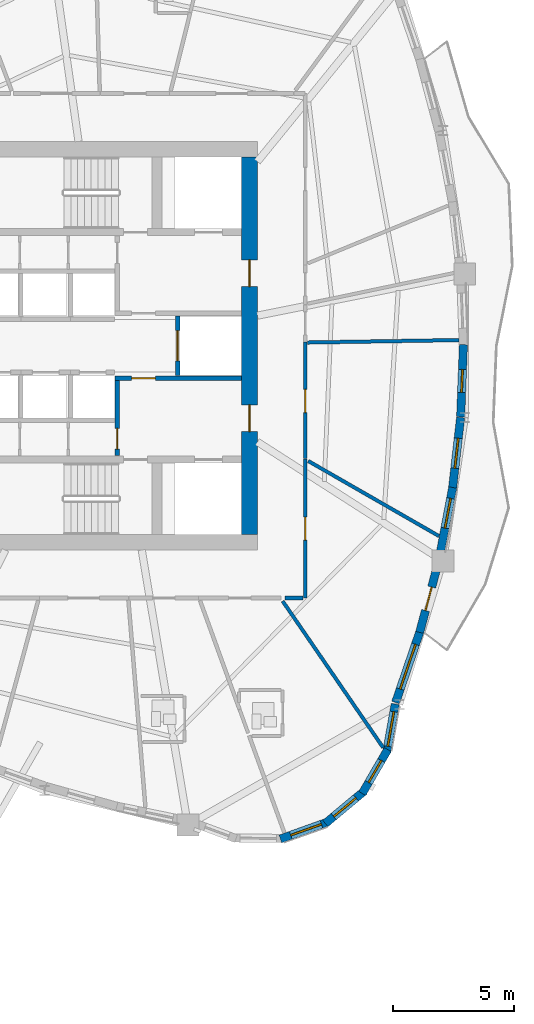
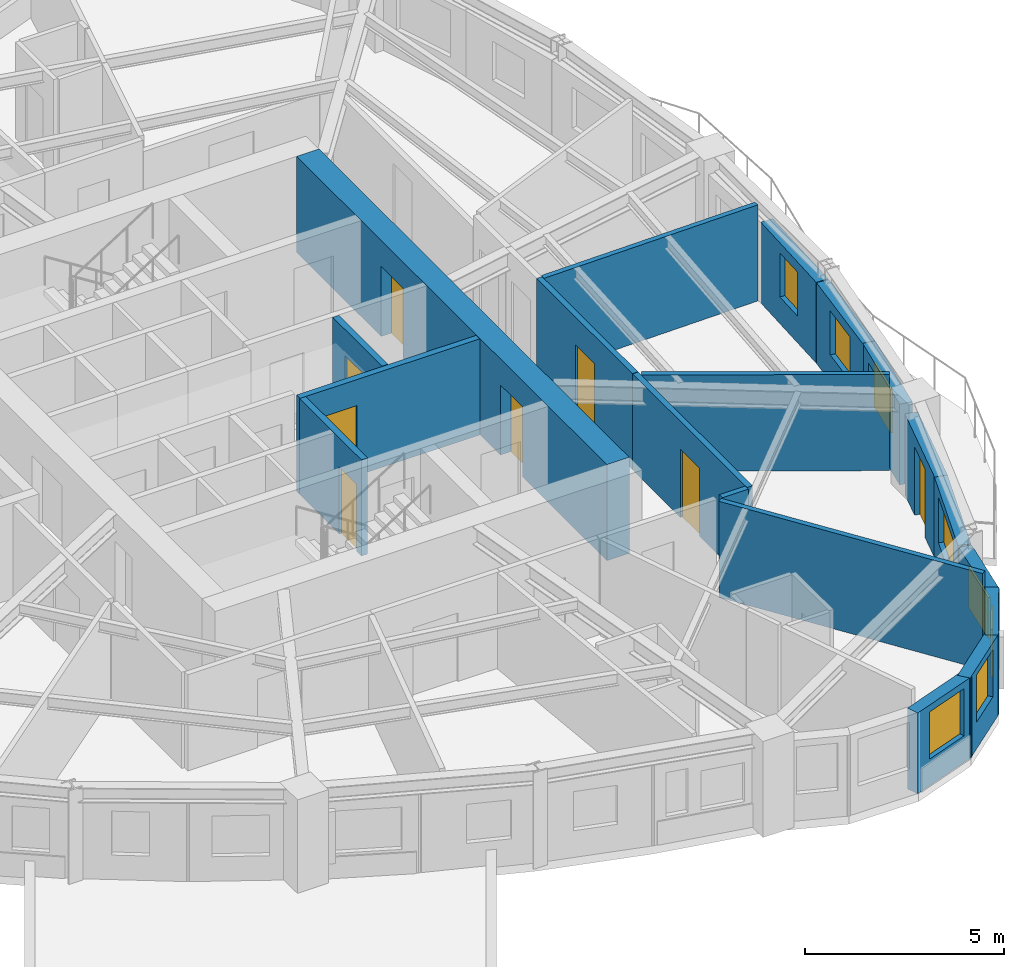
# One storey, part 5 of 14: 19 walls, 8 doors, 8 windows, 16 openings.
"""IFC4 building model written with IfcOpenShell, lengths in metres."""

from ifc_helpers import new_model, si_unit, direction, frame, frame_2d, origin, place, context, subcontext, project, spatial, rectangle, extrude, source, transform, mapped, material, layer, layer_set, type_object, element, fill, save


model = new_model("IFC4")

# Units and contexts
model_context = context("Model", 3, precision=1e-05, world=origin(), true_north=direction((0.0, 1.0)))
body_context = subcontext(model_context, "Body", "Model", "MODEL_VIEW")
ifc_project = project(units=[si_unit("LENGTHUNIT", "METRE"), si_unit("AREAUNIT", "SQUARE_METRE"), si_unit("VOLUMEUNIT", "CUBIC_METRE"), si_unit("PLANEANGLEUNIT", "RADIAN"), si_unit("MASSUNIT", "GRAM", prefix="KILO")], contexts=[model_context])

# Site, building, storey
site_placement = place(None, origin())
site = spatial("IfcSite", under=ifc_project, at=site_placement, CompositionType="ELEMENT")
building_placement = place(site_placement, origin())
building = spatial("IfcBuilding", under=site, at=building_placement, Name="Qafzar Sky-Pleat Residences", CompositionType="ELEMENT")
storey_placement = place(building_placement, frame((0.0, 0.0, 118.39990234375)))
storey = spatial("IfcBuildingStorey", under=building, at=storey_placement, Name="L35", CompositionType="ELEMENT", Elevation=118.39990234375)

# Wall, opening, door
ifc_material_1 = material(Name="Acoustic gypsum plasterboard partition", Category="gypsum")
ifc_layer_1 = layer(ifc_material_1, 0.159912109375)
ifc_layer_set_1 = layer_set([ifc_layer_1], Name="Acoustic gypsum plasterboard partition")
wall_type_1 = type_object("IfcWallType", Name="PART-COR-160", PredefinedType="PARTITIONING", material=ifc_layer_set_1)
wall_1_placement = place(storey_placement, frame((38.530029296875, 21.321044921875, 0.0), z_axis=(0.0, 0.0, 1.0), x_axis=(0.0, -1.0, 0.0)))
wall_1 = element("IfcWall", 1, at=wall_1_placement, inside=storey, type_object=wall_type_1, Name="L35 Partition Wall PART-L35-PW-002", PredefinedType="PARTITIONING", context=body_context, shape_type="SweptSolid", body=[
    extrude(rectangle(XDim=5.7509765625, YDim=0.159912109375, at=frame_2d((2.87548828125, 0.0))), origin(), (0.0, 0.0, 1.0), 2.9501953125),
])
opening_1_placement = place(wall_1_placement, frame((2.404052734375, 0.0, 0.0)))
opening_1 = element("IfcOpeningElement", 2, at=opening_1_placement, cuts=wall_1, Name="Opening ID-06", PredefinedType="OPENING", context=body_context, shape_type="SweptSolid", body=[
    extrude(rectangle(XDim=0.9599609375, YDim=2.10009765625, at=frame_2d((0.47998046875, 1.050048828125))), frame((0.0, 0.08984375, 0.0), z_axis=(0.0, -1.0, 0.0), x_axis=(1.0, 0.0, 0.0)), (0.0, 0.0, 1.0), 0.179931640625),
])
ifc_material_2 = material(Name="Timber-faced fire door", Category="wood")
door_type_1 = type_object("IfcDoorType", Name="DR-STD-960", OperationType="NOTDEFINED", PredefinedType="DOOR", material=ifc_material_2)
shared_shape_1 = source(origin(), body_context, "Body", "SweptSolid", [
    extrude(rectangle(XDim=0.9599609375, YDim=2.10009765625, at=frame_2d((0.47998046875, 1.050048828125))), frame((0.0, 0.02490234375, 0.0), z_axis=(0.0, -1.0, 0.0), x_axis=(1.0, 0.0, 0.0)), (0.0, 0.0, 1.0), 0.050048828125),
])
door_1_placement = place(opening_1_placement, origin())
door_1 = element("IfcDoor", 3, at=door_1_placement, inside=storey, type_object=door_type_1, Name="L35 Wellness Yoga Studio Door", OperationType="SINGLE_SWING_LEFT", OverallHeight=2.10009765625, OverallWidth=0.9599609375, PredefinedType="DOOR", context=body_context, shape_type="MappedRepresentation", body=[
    mapped(shared_shape_1, transform((0.0, 0.0, 0.0), x_axis=(1.0, 0.0, 0.0), y_axis=(0.0, 1.0, 0.0), z_axis=(0.0, 0.0, 1.0), scale=1.0)),
])
fill(opening_1, door_1)

wall_2_placement = place(storey_placement, frame((38.530029296875, 26.14697265625, 0.0), z_axis=(0.0, 0.0, 1.0), x_axis=(0.0, -1.0, 0.0)))
wall_2 = element("IfcWall", 4, at=wall_2_placement, inside=storey, type_object=wall_type_1, Name="L35 Partition Wall PART-L35-PW-006", PredefinedType="PARTITIONING", context=body_context, shape_type="SweptSolid", body=[
    extrude(rectangle(XDim=4.81103515625, YDim=0.159912109375, at=frame_2d((2.405517578125, 0.0))), origin(), (0.0, 0.0, 1.0), 2.9501953125),
])
opening_2_placement = place(wall_2_placement, frame((1.948974609375, 0.0, 0.0)))
opening_2 = element("IfcOpeningElement", 5, at=opening_2_placement, cuts=wall_2, Name="Opening ID-06", PredefinedType="OPENING", context=body_context, shape_type="SweptSolid", body=[
    extrude(rectangle(XDim=0.9599609375, YDim=2.10009765625, at=frame_2d((0.47998046875, 1.050048828125))), frame((0.0, 0.08984375, 0.0), z_axis=(0.0, -1.0, 0.0), x_axis=(1.0, 0.0, 0.0)), (0.0, 0.0, 1.0), 0.179931640625),
])
door_2_placement = place(opening_2_placement, origin())
door_2 = element("IfcDoor", 6, at=door_2_placement, inside=storey, type_object=door_type_1, Name="L35 Media Screening Room Door", OperationType="SINGLE_SWING_RIGHT", OverallHeight=2.10009765625, OverallWidth=0.9599609375, PredefinedType="DOOR", context=body_context, shape_type="MappedRepresentation", body=[
    mapped(shared_shape_1, transform((0.0, 0.0, 0.0), x_axis=(1.0, 0.0, 0.0), y_axis=(0.0, 1.0, 0.0), z_axis=(0.0, 0.0, 1.0), scale=1.0)),
])
fill(opening_2, door_2)

# Wall
wall_3_placement = place(storey_placement, frame((37.689697265625, 15.570068359375, 0.0), z_axis=(0.0, 0.0, 1.0), x_axis=(1.0, 0.0, 0.0)))
element("IfcWall", 7, at=wall_3_placement, inside=storey, type_object=wall_type_1, Name="L35 Partition Wall PART-L35-PW-053", PredefinedType="PARTITIONING", context=body_context, shape_type="SweptSolid", body=[
    extrude(rectangle(XDim=0.752197265625, YDim=0.159912109375, at=frame_2d((0.3759765625, 0.0))), origin(), (0.0, 0.0, 1.0), 2.9501953125),
])

# Wall, opening, door
ifc_material_3 = material(Name="Concrete blockwork partition", Category="masonry")
ifc_layer_2 = layer(ifc_material_3, 0.179931640625)
ifc_layer_set_2 = layer_set([ifc_layer_2], Name="Concrete blockwork partition")
wall_type_2 = type_object("IfcWallType", Name="PART-SHAFT-180", PredefinedType="PARTITIONING", material=ifc_layer_set_2)
wall_4_placement = place(storey_placement, frame((30.75, 21.4599609375, 0.0), z_axis=(0.0, 0.0, 1.0), x_axis=(0.0, 1.0, 0.0)))
wall_4 = element("IfcWall", 8, at=wall_4_placement, inside=storey, type_object=wall_type_2, Name="L35 Partition Wall PART-L35-FFL1-W", PredefinedType="PARTITIONING", context=body_context, shape_type="SweptSolid", body=[
    extrude(rectangle(XDim=3.110107421875, YDim=0.179931640625, at=frame_2d((1.55517578125, 0.0))), origin(), (0.0, 0.0, 1.0), 2.9501953125),
])
opening_3_placement = place(wall_4_placement, frame((0.260009765625, 0.0, 0.0)))
opening_3 = element("IfcOpeningElement", 9, at=opening_3_placement, cuts=wall_4, Name="Opening ID-09", PredefinedType="OPENING", context=body_context, shape_type="SweptSolid", body=[
    extrude(rectangle(XDim=0.860107421875, YDim=2.050048828125, at=frame_2d((0.43017578125, 1.02490234375))), frame((0.0, 0.10009765625, 0.0), z_axis=(0.0, -1.0, 0.0), x_axis=(1.0, 0.0, 0.0)), (0.0, 0.0, 1.0), 0.199951171875),
])
door_type_2 = type_object("IfcDoorType", Name="DR-SVC-860", OperationType="NOTDEFINED", PredefinedType="DOOR", material=ifc_material_2)
shared_shape_2 = source(origin(), body_context, "Body", "SweptSolid", [
    extrude(rectangle(XDim=0.860107421875, YDim=2.050048828125, at=frame_2d((0.43017578125, 1.02490234375))), frame((0.0, 0.02490234375, 0.0), z_axis=(0.0, -1.0, 0.0), x_axis=(1.0, 0.0, 0.0)), (0.0, 0.0, 1.0), 0.050048828125),
])
door_3_placement = place(opening_3_placement, origin())
door_3 = element("IfcDoor", 10, at=door_3_placement, inside=storey, type_object=door_type_2, Name="L35 South Core Cupboard Door", OperationType="SINGLE_SWING_RIGHT", OverallHeight=2.050048828125, OverallWidth=0.860107421875, PredefinedType="DOOR", context=body_context, shape_type="MappedRepresentation", body=[
    mapped(shared_shape_2, transform((0.0, 0.0, 0.0), x_axis=(1.0, 0.0, 0.0), y_axis=(0.0, 1.0, 0.0), z_axis=(0.0, 0.0, 1.0), scale=1.0)),
])
fill(opening_3, door_3)

wall_5_placement = place(storey_placement, frame((30.669921875, 24.659912109375, 0.0), z_axis=(0.0, 0.0, 1.0), x_axis=(1.0, 0.0, 0.0)))
wall_5 = element("IfcWall", 11, at=wall_5_placement, inside=storey, type_object=wall_type_2, Name="L35 Partition Wall PART-L35-FFL1-N", PredefinedType="PARTITIONING", context=body_context, shape_type="SweptSolid", body=[
    extrude(rectangle(XDim=5.219970703125, YDim=0.179931640625, at=frame_2d((2.60986328125, 0.0))), origin(), (0.0, 0.0, 1.0), 2.9501953125),
])
opening_4_placement = place(wall_5_placement, frame((0.679931640625, 0.0, 0.0)))
opening_4 = element("IfcOpeningElement", 12, at=opening_4_placement, cuts=wall_5, Name="Opening ID-01", PredefinedType="OPENING", context=body_context, shape_type="SweptSolid", body=[
    extrude(rectangle(XDim=0.97998046875, YDim=2.14990234375, at=frame_2d((0.489990234375, 1.074951171875))), frame((0.0, 0.10009765625, 0.0), z_axis=(0.0, -1.0, 0.0), x_axis=(1.0, 0.0, 0.0)), (0.0, 0.0, 1.0), 0.199951171875),
])
door_type_3 = type_object("IfcDoorType", Name="DR-STAIR-980", OperationType="NOTDEFINED", PredefinedType="DOOR", material=ifc_material_2)
shared_shape_3 = source(origin(), body_context, "Body", "SweptSolid", [
    extrude(rectangle(XDim=0.97998046875, YDim=2.14990234375, at=frame_2d((0.489990234375, 1.074951171875))), frame((0.0, 0.02490234375, 0.0), z_axis=(0.0, -1.0, 0.0), x_axis=(1.0, 0.0, 0.0)), (0.0, 0.0, 1.0), 0.050048828125),
])
door_4_placement = place(opening_4_placement, origin())
door_4 = element("IfcDoor", 13, at=door_4_placement, inside=storey, type_object=door_type_3, Name="L35 Lift Lobby to South Firefighting Lobby Door", OperationType="SINGLE_SWING_LEFT", OverallHeight=2.14990234375, OverallWidth=0.97998046875, PredefinedType="DOOR", context=body_context, shape_type="MappedRepresentation", body=[
    mapped(shared_shape_3, transform((0.0, 0.0, 0.0), x_axis=(1.0, 0.0, 0.0), y_axis=(0.0, 1.0, 0.0), z_axis=(0.0, 0.0, 1.0), scale=1.0)),
])
fill(opening_4, door_4)

wall_6_placement = place(storey_placement, frame((33.25, 24.760009765625, 0.0), z_axis=(0.0, 0.0, 1.0), x_axis=(0.0, 1.0, 0.0)))
wall_6 = element("IfcWall", 14, at=wall_6_placement, inside=storey, type_object=wall_type_2, Name="L35 Partition Wall PART-L35-SV1-W", PredefinedType="PARTITIONING", context=body_context, shape_type="SweptSolid", body=[
    extrude(rectangle(XDim=2.47998046875, YDim=0.179931640625, at=frame_2d((1.239990234375, 0.0))), origin(), (0.0, 0.0, 1.0), 2.9501953125),
])
opening_5_placement = place(wall_6_placement, frame((0.614990234375, 0.0, 0.0)))
opening_5 = element("IfcOpeningElement", 15, at=opening_5_placement, cuts=wall_6, Name="Opening LD-03", PredefinedType="OPENING", context=body_context, shape_type="SweptSolid", body=[
    extrude(rectangle(XDim=1.25, YDim=2.14990234375, at=frame_2d((0.625, 1.074951171875))), frame((0.0, 0.10009765625, 0.0), z_axis=(0.0, -1.0, 0.0), x_axis=(1.0, 0.0, 0.0)), (0.0, 0.0, 1.0), 0.199951171875),
])
ifc_material_4 = material(Name="Stainless steel sliding landing door", Category="steel")
door_type_4 = type_object("IfcDoorType", Name="DR-LIFT-SV", OperationType="DOUBLE_DOOR_SLIDING", PredefinedType="DOOR", material=ifc_material_4)
shared_shape_4 = source(origin(), body_context, "Body", "SweptSolid", [
    extrude(rectangle(XDim=1.25, YDim=2.14990234375, at=frame_2d((0.625, 1.074951171875))), frame((0.0, 0.02490234375, 0.0), z_axis=(0.0, -1.0, 0.0), x_axis=(1.0, 0.0, 0.0)), (0.0, 0.0, 1.0), 0.050048828125),
])
door_5_placement = place(opening_5_placement, origin())
door_5 = element("IfcDoor", 16, at=door_5_placement, inside=storey, type_object=door_type_4, Name="L35 Service Lift SV1 Landing Door", OperationType="DOUBLE_DOOR_SLIDING", OverallHeight=2.14990234375, OverallWidth=1.25, PredefinedType="DOOR", context=body_context, shape_type="MappedRepresentation", body=[
    mapped(shared_shape_4, transform((0.0, 0.0, 0.0), x_axis=(1.0, 0.0, 0.0), y_axis=(0.0, 1.0, 0.0), z_axis=(0.0, 0.0, 1.0), scale=1.0)),
])
fill(opening_5, door_5)

# Walls
ifc_layer_3 = layer(ifc_material_1, 0.14501953125)
ifc_layer_set_3 = layer_set([ifc_layer_3], Name="Acoustic gypsum plasterboard partition")
wall_type_3 = type_object("IfcWallType", Name="PART-UNIT-145", PredefinedType="PARTITIONING", material=ifc_layer_set_3)
wall_7_placement = place(storey_placement, frame((37.593505859375, 15.4423828125, 0.0), z_axis=(0.0, 0.0, 1.0), x_axis=(0.565681325722, -0.824623937155, 0.0)))
element("IfcWall", 17, at=wall_7_placement, inside=storey, type_object=wall_type_3, Name="L35 Partition Wall PART-L35-PW-026", PredefinedType="PARTITIONING", context=body_context, shape_type="SweptSolid", body=[
    extrude(rectangle(XDim=7.350341796875, YDim=0.14501953125, at=frame_2d((3.67529296875, 0.0))), origin(), (0.0, 0.0, 1.0), 2.9501953125),
])
wall_8_placement = place(storey_placement, frame((38.653076171875, 21.2333984375, 0.0), z_axis=(0.0, 0.0, 1.0), x_axis=(0.86726592845, -0.49784516604, 0.0)))
element("IfcWall", 18, at=wall_8_placement, inside=storey, type_object=wall_type_3, Name="L35 Partition Wall PART-L35-PW-031", PredefinedType="PARTITIONING", context=body_context, shape_type="SweptSolid", body=[
    extrude(rectangle(XDim=6.2373046875, YDim=0.14501953125, at=frame_2d((3.11865234375, 0.0))), origin(), (0.0, 0.0, 1.0), 2.9501953125),
])
wall_9_placement = place(storey_placement, frame((38.619140625, 26.13330078125, 0.0), z_axis=(0.0, 0.0, 1.0), x_axis=(0.999869130012, 0.016177850558, 0.0)))
element("IfcWall", 19, at=wall_9_placement, inside=storey, type_object=wall_type_3, Name="L35 Partition Wall PART-L35-PW-033", PredefinedType="PARTITIONING", context=body_context, shape_type="SweptSolid", body=[
    extrude(rectangle(XDim=6.2626953125, YDim=0.14501953125, at=frame_2d((3.13134765625, 0.0))), origin(), (0.0, 0.0, 1.0), 2.9501953125),
])

# Wall, opening, window
ifc_material_5 = material(Name="Precast concrete C40/50 with honed Riyadh limestone", Category="concrete")
ifc_layer_4 = layer(ifc_material_5, 0.340087890625)
ifc_layer_set_4 = layer_set([ifc_layer_4], Name="Precast concrete C40/50 with honed Riyadh limestone")
wall_type_4 = type_object("IfcWallType", Name="WALL-EXT-340", PredefinedType="SOLIDWALL", material=ifc_layer_set_4)
wall_10_placement = place(storey_placement, frame((37.501708984375, 5.601806640625, 0.0), z_axis=(0.0, 0.0, 1.0), x_axis=(0.941523304278, 0.336947870598, 0.0)))
wall_10 = element("IfcWall", 20, at=wall_10_placement, inside=storey, type_object=wall_type_4, Name="L35 Limestone Facade Wall 19", PredefinedType="SOLIDWALL", context=body_context, shape_type="SweptSolid", body=[
    extrude(rectangle(XDim=2.09912109375, YDim=0.340087890625, at=frame_2d((1.049560546875, 0.0))), origin(), (0.0, 0.0, 1.0), 2.47998046875),
])
opening_6_placement = place(wall_10_placement, frame((0.455322265625, 0.0, 0.820068359375)))
opening_6 = element("IfcOpeningElement", 21, at=opening_6_placement, cuts=wall_10, Name="Opening WN-04", PredefinedType="OPENING", context=body_context, shape_type="SweptSolid", body=[
    extrude(rectangle(XDim=1.35009765625, YDim=1.449951171875, at=frame_2d((0.675048828125, 0.72509765625))), frame((0.0, 0.18017578125, 0.0), z_axis=(0.0, -1.0, 0.0), x_axis=(1.0, 0.0, 0.0)), (0.0, 0.0, 1.0), 0.360107421875),
])
ifc_material_6 = material(Name="Solar-control low-E glass in bronze aluminium frame", Category="glass")
window_type_1 = type_object("IfcWindowType", Name="WIN-04", PartitioningType="SINGLE_PANEL", PredefinedType="WINDOW", material=ifc_material_6)
shared_shape_5 = source(origin(), body_context, "Body", "SweptSolid", [
    extrude(rectangle(XDim=1.35009765625, YDim=1.449951171875, at=frame_2d((0.675048828125, 0.72509765625))), frame((0.0, 0.030029296875, 0.0), z_axis=(0.0, -1.0, 0.0), x_axis=(1.0, 0.0, 0.0)), (0.0, 0.0, 1.0), 0.06005859375),
])
window_1_placement = place(opening_6_placement, origin())
window_1 = element("IfcWindow", 22, at=window_1_placement, inside=storey, type_object=window_type_1, Name="L35 Punched Facade Window 19", OverallHeight=1.449951171875, OverallWidth=1.35009765625, PartitioningType="SINGLE_PANEL", PredefinedType="WINDOW", context=body_context, shape_type="MappedRepresentation", body=[
    mapped(shared_shape_5, transform((0.0, 0.0, 0.0), x_axis=(1.0, 0.0, 0.0), y_axis=(0.0, 1.0, 0.0), z_axis=(0.0, 0.0, 1.0), scale=1.0)),
])
fill(opening_6, window_1)

wall_11_placement = place(storey_placement, frame((39.361572265625, 6.242431640625, 0.0), z_axis=(0.0, 0.0, 1.0), x_axis=(0.768440501876, 0.639921241308, 0.0)))
wall_11 = element("IfcWall", 23, at=wall_11_placement, inside=storey, type_object=wall_type_4, Name="L35 Limestone Facade Wall 20", PredefinedType="SOLIDWALL", context=body_context, shape_type="SweptSolid", body=[
    extrude(rectangle(XDim=2.09912109375, YDim=0.340087890625, at=frame_2d((1.049560546875, 0.0))), origin(), (0.0, 0.0, 1.0), 2.47998046875),
])
opening_7_placement = place(wall_11_placement, frame((0.449462890625, 0.0, 0.820068359375)))
opening_7 = element("IfcOpeningElement", 24, at=opening_7_placement, cuts=wall_11, Name="Opening WN-05", PredefinedType="OPENING", context=body_context, shape_type="SweptSolid", body=[
    extrude(rectangle(XDim=1.199951171875, YDim=1.449951171875, at=frame_2d((0.60009765625, 0.72509765625))), frame((0.0, 0.18017578125, 0.0), z_axis=(0.0, -1.0, 0.0), x_axis=(1.0, 0.0, 0.0)), (0.0, 0.0, 1.0), 0.360107421875),
])
window_type_2 = type_object("IfcWindowType", Name="WIN-05", PartitioningType="SINGLE_PANEL", PredefinedType="WINDOW", material=ifc_material_6)
shared_shape_6 = source(origin(), body_context, "Body", "SweptSolid", [
    extrude(rectangle(XDim=1.199951171875, YDim=1.449951171875, at=frame_2d((0.60009765625, 0.72509765625))), frame((0.0, 0.030029296875, 0.0), z_axis=(0.0, -1.0, 0.0), x_axis=(1.0, 0.0, 0.0)), (0.0, 0.0, 1.0), 0.06005859375),
])
window_2_placement = place(opening_7_placement, origin())
window_2 = element("IfcWindow", 25, at=window_2_placement, inside=storey, type_object=window_type_2, Name="L35 Punched Facade Window 20", OverallHeight=1.449951171875, OverallWidth=1.199951171875, PartitioningType="SINGLE_PANEL", PredefinedType="WINDOW", context=body_context, shape_type="MappedRepresentation", body=[
    mapped(shared_shape_6, transform((0.0, 0.0, 0.0), x_axis=(1.0, 0.0, 0.0), y_axis=(0.0, 1.0, 0.0), z_axis=(0.0, 0.0, 1.0), scale=1.0)),
])
fill(opening_7, window_2)

wall_12_placement = place(storey_placement, frame((40.88818359375, 7.483154296875, 0.0), z_axis=(0.0, 0.0, 1.0), x_axis=(0.501902596059, 0.864924149315, 0.0)))
wall_12 = element("IfcWall", 26, at=wall_12_placement, inside=storey, type_object=wall_type_4, Name="L35 Limestone Facade Wall 21", PredefinedType="SOLIDWALL", context=body_context, shape_type="SweptSolid", body=[
    extrude(rectangle(XDim=2.098876953125, YDim=0.340087890625, at=frame_2d((1.04931640625, 0.0))), origin(), (0.0, 0.0, 1.0), 2.47998046875),
])
opening_8_placement = place(wall_12_placement, frame((0.5244140625, 0.0, 0.820068359375)))
opening_8 = element("IfcOpeningElement", 27, at=opening_8_placement, cuts=wall_12, Name="Opening WN-06", PredefinedType="OPENING", context=body_context, shape_type="SweptSolid", body=[
    extrude(rectangle(XDim=1.050048828125, YDim=1.449951171875, at=frame_2d((0.52490234375, 0.72509765625))), frame((0.0, 0.18017578125, 0.0), z_axis=(0.0, -1.0, 0.0), x_axis=(1.0, 0.0, 0.0)), (0.0, 0.0, 1.0), 0.360107421875),
])
window_type_3 = type_object("IfcWindowType", Name="WIN-06", PartitioningType="SINGLE_PANEL", PredefinedType="WINDOW", material=ifc_material_6)
shared_shape_7 = source(origin(), body_context, "Body", "SweptSolid", [
    extrude(rectangle(XDim=1.050048828125, YDim=1.449951171875, at=frame_2d((0.52490234375, 0.72509765625))), frame((0.0, 0.030029296875, 0.0), z_axis=(0.0, -1.0, 0.0), x_axis=(1.0, 0.0, 0.0)), (0.0, 0.0, 1.0), 0.06005859375),
])
window_3_placement = place(opening_8_placement, origin())
window_3 = element("IfcWindow", 28, at=window_3_placement, inside=storey, type_object=window_type_3, Name="L35 Punched Facade Window 21", OverallHeight=1.449951171875, OverallWidth=1.050048828125, PartitioningType="SINGLE_PANEL", PredefinedType="WINDOW", context=body_context, shape_type="MappedRepresentation", body=[
    mapped(shared_shape_7, transform((0.0, 0.0, 0.0), x_axis=(1.0, 0.0, 0.0), y_axis=(0.0, 1.0, 0.0), z_axis=(0.0, 0.0, 1.0), scale=1.0)),
])
fill(opening_8, window_3)

wall_13_placement = place(storey_placement, frame((41.895751953125, 9.172607421875, 0.0), z_axis=(0.0, 0.0, 1.0), x_axis=(0.174399433509, 0.984674990843, 0.0)))
wall_13 = element("IfcWall", 29, at=wall_13_placement, inside=storey, type_object=wall_type_4, Name="L35 Limestone Facade Wall 22", PredefinedType="SOLIDWALL", context=body_context, shape_type="SweptSolid", body=[
    extrude(rectangle(XDim=2.041015625, YDim=0.340087890625, at=frame_2d((1.0205078125, 0.0))), origin(), (0.0, 0.0, 1.0), 2.47998046875),
])
opening_9_placement = place(wall_13_placement, frame((0.2666015625, 0.0, 0.820068359375)))
opening_9 = element("IfcOpeningElement", 30, at=opening_9_placement, cuts=wall_13, Name="Opening WN-15", PredefinedType="OPENING", context=body_context, shape_type="SweptSolid", body=[
    extrude(rectangle(XDim=1.449951171875, YDim=1.25, at=frame_2d((0.72509765625, 0.625))), frame((0.0, 0.18017578125, 0.0), z_axis=(0.0, -1.0, 0.0), x_axis=(1.0, 0.0, 0.0)), (0.0, 0.0, 1.0), 0.360107421875),
])
window_type_4 = type_object("IfcWindowType", Name="WIN-15", PartitioningType="SINGLE_PANEL", PredefinedType="WINDOW", material=ifc_material_6)
shared_shape_8 = source(origin(), body_context, "Body", "SweptSolid", [
    extrude(rectangle(XDim=1.449951171875, YDim=1.25, at=frame_2d((0.72509765625, 0.625))), frame((0.0, 0.030029296875, 0.0), z_axis=(0.0, -1.0, 0.0), x_axis=(1.0, 0.0, 0.0)), (0.0, 0.0, 1.0), 0.06005859375),
])
window_4_placement = place(opening_9_placement, origin())
window_4 = element("IfcWindow", 31, at=window_4_placement, inside=storey, type_object=window_type_4, Name="L35 Punched Facade Window 22", OverallHeight=1.25, OverallWidth=1.449951171875, PartitioningType="SINGLE_PANEL", PredefinedType="WINDOW", context=body_context, shape_type="MappedRepresentation", body=[
    mapped(shared_shape_8, transform((0.0, 0.0, 0.0), x_axis=(1.0, 0.0, 0.0), y_axis=(0.0, 1.0, 0.0), z_axis=(0.0, 0.0, 1.0), scale=1.0)),
])
fill(opening_9, window_4)

wall_14_placement = place(storey_placement, frame((42.26806640625, 11.246337890625, 0.0), z_axis=(0.0, 0.0, 1.0), x_axis=(0.323583674973, 0.946199558915, 0.0)))
wall_14 = element("IfcWall", 32, at=wall_14_placement, inside=storey, type_object=wall_type_4, Name="L35 Limestone Facade Wall 23", PredefinedType="SOLIDWALL", context=body_context, shape_type="SweptSolid", body=[
    extrude(rectangle(XDim=3.15234375, YDim=0.340087890625, at=frame_2d((1.576171875, 0.0))), origin(), (0.0, 0.0, 1.0), 2.47998046875),
])
opening_10_placement = place(wall_14_placement, frame((0.591064453125, 0.0, 0.820068359375)))
opening_10 = element("IfcOpeningElement", 33, at=opening_10_placement, cuts=wall_14, Name="Opening WN-08", PredefinedType="OPENING", context=body_context, shape_type="SweptSolid", body=[
    extrude(rectangle(XDim=1.949951171875, YDim=1.39990234375, at=frame_2d((0.97509765625, 0.699951171875))), frame((0.0, 0.18017578125, 0.0), z_axis=(0.0, -1.0, 0.0), x_axis=(1.0, 0.0, 0.0)), (0.0, 0.0, 1.0), 0.360107421875),
])
window_type_5 = type_object("IfcWindowType", Name="WIN-08", PartitioningType="DOUBLE_PANEL_VERTICAL", PredefinedType="WINDOW", material=ifc_material_6)
shared_shape_9 = source(origin(), body_context, "Body", "SweptSolid", [
    extrude(rectangle(XDim=1.949951171875, YDim=1.39990234375, at=frame_2d((0.97509765625, 0.699951171875))), frame((0.0, 0.030029296875, 0.0), z_axis=(0.0, -1.0, 0.0), x_axis=(1.0, 0.0, 0.0)), (0.0, 0.0, 1.0), 0.06005859375),
])
window_5_placement = place(opening_10_placement, origin())
window_5 = element("IfcWindow", 34, at=window_5_placement, inside=storey, type_object=window_type_5, Name="L35 Punched Facade Window 23", OverallHeight=1.39990234375, OverallWidth=1.949951171875, PartitioningType="SINGLE_PANEL", PredefinedType="WINDOW", context=body_context, shape_type="MappedRepresentation", body=[
    mapped(shared_shape_9, transform((0.0, 0.0, 0.0), x_axis=(1.0, 0.0, 0.0), y_axis=(0.0, 1.0, 0.0), z_axis=(0.0, 0.0, 1.0), scale=1.0)),
])
fill(opening_10, window_5)

# Wall, opening, door
wall_15_placement = place(storey_placement, frame((43.2626953125, 14.14501953125, 0.0), z_axis=(0.0, 0.0, 1.0), x_axis=(0.257086792151, 0.96638831807, 0.0)))
wall_15 = element("IfcWall", 35, at=wall_15_placement, inside=storey, type_object=wall_type_4, Name="L35 Limestone Facade Wall 24", PredefinedType="SOLIDWALL", context=body_context, shape_type="SweptSolid", body=[
    extrude(rectangle(XDim=2.87646484375, YDim=0.340087890625, at=frame_2d((1.438232421875, 0.0))), origin(), (0.0, 0.0, 1.0), 2.47998046875),
])
opening_11_placement = place(wall_15_placement, frame((0.938232421875, 0.0, 0.0)))
opening_11 = element("IfcOpeningElement", 36, at=opening_11_placement, cuts=wall_15, Name="Opening ED-05", PredefinedType="OPENING", context=body_context, shape_type="SweptSolid", body=[
    extrude(rectangle(XDim=1.0, YDim=2.10009765625, at=frame_2d((0.5, 1.050048828125))), frame((0.0, 0.18017578125, 0.0), z_axis=(0.0, -1.0, 0.0), x_axis=(1.0, 0.0, 0.0)), (0.0, 0.0, 1.0), 0.360107421875),
])
ifc_material_7 = material(Name="Glazed bronze aluminium door", Category="aluminium")
door_type_5 = type_object("IfcDoorType", Name="DR-BAL-1000", OperationType="NOTDEFINED", PredefinedType="DOOR", material=ifc_material_7)
shared_shape_10 = source(origin(), body_context, "Body", "SweptSolid", [
    extrude(rectangle(XDim=1.0, YDim=2.10009765625, at=frame_2d((0.5, 1.050048828125))), frame((0.0, 0.02490234375, 0.0), z_axis=(0.0, -1.0, 0.0), x_axis=(1.0, 0.0, 0.0)), (0.0, 0.0, 1.0), 0.050048828125),
])
door_6_placement = place(opening_11_placement, origin())
door_6 = element("IfcDoor", 37, at=door_6_placement, inside=storey, type_object=door_type_5, Name="L35 Glazed Balcony Door 1", OperationType="SINGLE_SWING_LEFT", OverallHeight=2.10009765625, OverallWidth=1.0, PredefinedType="DOOR", context=body_context, shape_type="MappedRepresentation", body=[
    mapped(shared_shape_10, transform((0.0, 0.0, 0.0), x_axis=(1.0, 0.0, 0.0), y_axis=(0.0, 1.0, 0.0), z_axis=(0.0, 0.0, 1.0), scale=1.0)),
])
fill(opening_11, door_6)

# Wall, opening, window
wall_16_placement = place(storey_placement, frame((44.101318359375, 17.361083984375, 0.0), z_axis=(0.0, 0.0, 1.0), x_axis=(0.186739007234, 0.982409559795, 0.0)))
wall_16 = element("IfcWall", 38, at=wall_16_placement, inside=storey, type_object=wall_type_4, Name="L35 Limestone Facade Wall 25", PredefinedType="SOLIDWALL", context=body_context, shape_type="SweptSolid", body=[
    extrude(rectangle(XDim=2.82666015625, YDim=0.340087890625, at=frame_2d((1.413330078125, 0.0))), origin(), (0.0, 0.0, 1.0), 2.47998046875),
])
opening_12_placement = place(wall_16_placement, frame((1.117919921875, 0.0, 0.820068359375)))
opening_12 = element("IfcOpeningElement", 39, at=opening_12_placement, cuts=wall_16, Name="Opening WN-11", PredefinedType="OPENING", context=body_context, shape_type="SweptSolid", body=[
    extrude(rectangle(XDim=1.25, YDim=1.35009765625, at=frame_2d((0.625, 0.675048828125))), frame((0.0, 0.18017578125, 0.0), z_axis=(0.0, -1.0, 0.0), x_axis=(1.0, 0.0, 0.0)), (0.0, 0.0, 1.0), 0.360107421875),
])
window_type_6 = type_object("IfcWindowType", Name="WIN-11", PartitioningType="SINGLE_PANEL", PredefinedType="WINDOW", material=ifc_material_6)
shared_shape_11 = source(origin(), body_context, "Body", "SweptSolid", [
    extrude(rectangle(XDim=1.25, YDim=1.35009765625, at=frame_2d((0.625, 0.675048828125))), frame((0.0, 0.030029296875, 0.0), z_axis=(0.0, -1.0, 0.0), x_axis=(1.0, 0.0, 0.0)), (0.0, 0.0, 1.0), 0.06005859375),
])
window_6_placement = place(opening_12_placement, origin())
window_6 = element("IfcWindow", 40, at=window_6_placement, inside=storey, type_object=window_type_6, Name="L35 Punched Facade Window 25-2", OverallHeight=1.35009765625, OverallWidth=1.25, PartitioningType="SINGLE_PANEL", PredefinedType="WINDOW", context=body_context, shape_type="MappedRepresentation", body=[
    mapped(shared_shape_11, transform((0.0, 0.0, 0.0), x_axis=(1.0, 0.0, 0.0), y_axis=(0.0, 1.0, 0.0), z_axis=(0.0, 0.0, 1.0), scale=1.0)),
])
fill(opening_12, window_6)

wall_17_placement = place(storey_placement, frame((44.61572265625, 20.05029296875, 0.0), z_axis=(0.0, 0.0, 1.0), x_axis=(0.113250801133, 0.993566432627, 0.0)))
wall_17 = element("IfcWall", 41, at=wall_17_placement, inside=storey, type_object=wall_type_4, Name="L35 Limestone Facade Wall 26", PredefinedType="SOLIDWALL", context=body_context, shape_type="SweptSolid", body=[
    extrude(rectangle(XDim=3.0029296875, YDim=0.340087890625, at=frame_2d((1.50146484375, 0.0))), origin(), (0.0, 0.0, 1.0), 2.47998046875),
])
opening_13_placement = place(wall_17_placement, frame((0.886474609375, 0.0, 0.820068359375)))
opening_13 = element("IfcOpeningElement", 42, at=opening_13_placement, cuts=wall_17, Name="Opening WN-11", PredefinedType="OPENING", context=body_context, shape_type="SweptSolid", body=[
    extrude(rectangle(XDim=1.25, YDim=1.35009765625, at=frame_2d((0.625, 0.675048828125))), frame((0.0, 0.18017578125, 0.0), z_axis=(0.0, -1.0, 0.0), x_axis=(1.0, 0.0, 0.0)), (0.0, 0.0, 1.0), 0.360107421875),
])
window_7_placement = place(opening_13_placement, origin())
window_7 = element("IfcWindow", 43, at=window_7_placement, inside=storey, type_object=window_type_6, Name="L35 Punched Facade Window 26", OverallHeight=1.35009765625, OverallWidth=1.25, PartitioningType="SINGLE_PANEL", PredefinedType="WINDOW", context=body_context, shape_type="MappedRepresentation", body=[
    mapped(shared_shape_11, transform((0.0, 0.0, 0.0), x_axis=(1.0, 0.0, 0.0), y_axis=(0.0, 1.0, 0.0), z_axis=(0.0, 0.0, 1.0), scale=1.0)),
])
fill(opening_13, window_7)

wall_18_placement = place(storey_placement, frame((44.9580078125, 23.060791015625, 0.0), z_axis=(0.0, 0.0, 1.0), x_axis=(0.037940097137, 0.999280015326, 0.0)))
wall_18 = element("IfcWall", 44, at=wall_18_placement, inside=storey, type_object=wall_type_4, Name="L35 Limestone Facade Wall 27", PredefinedType="SOLIDWALL", context=body_context, shape_type="SweptSolid", body=[
    extrude(rectangle(XDim=2.98583984375, YDim=0.340087890625, at=frame_2d((1.492919921875, 0.0))), origin(), (0.0, 0.0, 1.0), 2.47998046875),
])
opening_14_placement = place(wall_18_placement, frame((1.0078125, 0.0, 0.820068359375)))
opening_14 = element("IfcOpeningElement", 45, at=opening_14_placement, cuts=wall_18, Name="Opening WN-12", PredefinedType="OPENING", context=body_context, shape_type="SweptSolid", body=[
    extrude(rectangle(XDim=0.949951171875, YDim=1.35009765625, at=frame_2d((0.47509765625, 0.675048828125))), frame((0.0, 0.18017578125, 0.0), z_axis=(0.0, -1.0, 0.0), x_axis=(1.0, 0.0, 0.0)), (0.0, 0.0, 1.0), 0.360107421875),
])
window_type_7 = type_object("IfcWindowType", Name="WIN-12", PartitioningType="SINGLE_PANEL", PredefinedType="WINDOW", material=ifc_material_6)
shared_shape_12 = source(origin(), body_context, "Body", "SweptSolid", [
    extrude(rectangle(XDim=0.949951171875, YDim=1.35009765625, at=frame_2d((0.47509765625, 0.675048828125))), frame((0.0, 0.030029296875, 0.0), z_axis=(0.0, -1.0, 0.0), x_axis=(1.0, 0.0, 0.0)), (0.0, 0.0, 1.0), 0.06005859375),
])
window_8_placement = place(opening_14_placement, origin())
window_8 = element("IfcWindow", 46, at=window_8_placement, inside=storey, type_object=window_type_7, Name="L35 Punched Facade Window 27", OverallHeight=1.35009765625, OverallWidth=0.949951171875, PartitioningType="SINGLE_PANEL", PredefinedType="WINDOW", context=body_context, shape_type="MappedRepresentation", body=[
    mapped(shared_shape_12, transform((0.0, 0.0, 0.0), x_axis=(1.0, 0.0, 0.0), y_axis=(0.0, 1.0, 0.0), z_axis=(0.0, 0.0, 1.0), scale=1.0)),
])
fill(opening_14, window_8)

# Wall, openings, doors
ifc_material_8 = material(Name="Concrete C60/75", Category="concrete")
ifc_layer_5 = layer(ifc_material_8, 0.64990234375)
ifc_layer_set_5 = layer_set([ifc_layer_5], Name="Concrete C60/75")
wall_type_5 = type_object("IfcWallType", Name="WALL-SHEAR-650", PredefinedType="SHEAR", material=ifc_layer_set_5)
wall_19_placement = place(storey_placement, frame((36.22509765625, 18.199951171875, 0.0), z_axis=(0.0, 0.0, 1.0), x_axis=(0.0, 1.0, 0.0)))
wall_19 = element("IfcWall", 47, at=wall_19_placement, inside=storey, type_object=wall_type_5, Name="L35 CORE wall E", PredefinedType="SHEAR", context=body_context, shape_type="SweptSolid", body=[
    extrude(rectangle(XDim=15.60009765625, YDim=0.64990234375, at=frame_2d((7.800048828125, 0.0))), origin(), (0.0, 0.0, 1.0), 2.9501953125),
])
opening_15_placement = place(wall_19_placement, frame((4.25, 0.0, 0.0)))
opening_15 = element("IfcOpeningElement", 48, at=opening_15_placement, cuts=wall_19, Name="Opening ID-02", PredefinedType="OPENING", context=body_context, shape_type="SweptSolid", body=[
    extrude(rectangle(XDim=1.10009765625, YDim=2.14990234375, at=frame_2d((0.550048828125, 1.074951171875))), frame((0.0, 0.3349609375, 0.0), z_axis=(0.0, -1.0, 0.0), x_axis=(1.0, 0.0, 0.0)), (0.0, 0.0, 1.0), 0.669921875),
])
opening_16_placement = place(wall_19_placement, frame((10.25, 0.0, 0.0)))
opening_16 = element("IfcOpeningElement", 49, at=opening_16_placement, cuts=wall_19, Name="Opening ID-02", PredefinedType="OPENING", context=body_context, shape_type="SweptSolid", body=[
    extrude(rectangle(XDim=1.10009765625, YDim=2.14990234375, at=frame_2d((0.550048828125, 1.074951171875))), frame((0.0, 0.3349609375, 0.0), z_axis=(0.0, -1.0, 0.0), x_axis=(1.0, 0.0, 0.0)), (0.0, 0.0, 1.0), 0.669921875),
])
door_type_6 = type_object("IfcDoorType", Name="DR-FFL-1100", OperationType="NOTDEFINED", PredefinedType="DOOR", material=ifc_material_2)
shared_shape_13 = source(origin(), body_context, "Body", "SweptSolid", [
    extrude(rectangle(XDim=1.10009765625, YDim=2.14990234375, at=frame_2d((0.550048828125, 1.074951171875))), frame((0.0, 0.02490234375, 0.0), z_axis=(0.0, -1.0, 0.0), x_axis=(1.0, 0.0, 0.0)), (0.0, 0.0, 1.0), 0.050048828125),
])
door_7_placement = place(opening_15_placement, origin())
door_7 = element("IfcDoor", 50, at=door_7_placement, inside=storey, type_object=door_type_6, Name="L35 Firefighting Lobby South Corridor Door", OperationType="SINGLE_SWING_RIGHT", OverallHeight=2.14990234375, OverallWidth=1.10009765625, PredefinedType="DOOR", context=body_context, shape_type="MappedRepresentation", body=[
    mapped(shared_shape_13, transform((0.0, 0.0, 0.0), x_axis=(1.0, 0.0, 0.0), y_axis=(0.0, 1.0, 0.0), z_axis=(0.0, 0.0, 1.0), scale=1.0)),
])
fill(opening_15, door_7)
door_8_placement = place(opening_16_placement, origin())
door_8 = element("IfcDoor", 51, at=door_8_placement, inside=storey, type_object=door_type_6, Name="L35 Firefighting Lobby North Corridor Door", OperationType="SINGLE_SWING_LEFT", OverallHeight=2.14990234375, OverallWidth=1.10009765625, PredefinedType="DOOR", context=body_context, shape_type="MappedRepresentation", body=[
    mapped(shared_shape_13, transform((0.0, 0.0, 0.0), x_axis=(1.0, 0.0, 0.0), y_axis=(0.0, 1.0, 0.0), z_axis=(0.0, 0.0, 1.0), scale=1.0)),
])
fill(opening_16, door_8)

save(model, "model.ifc")
